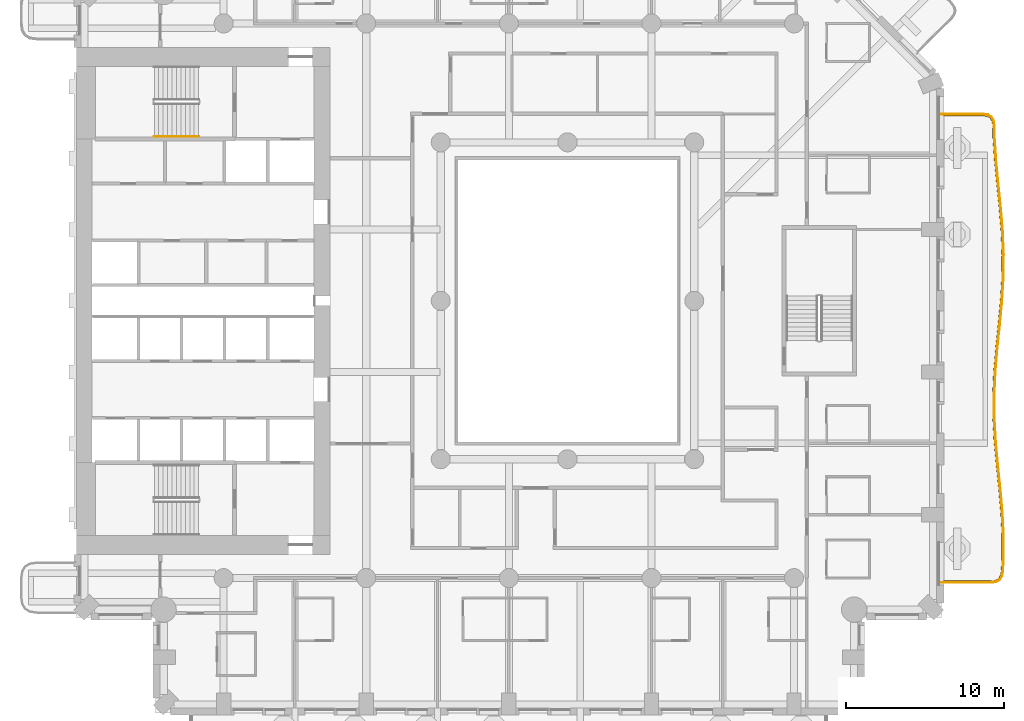
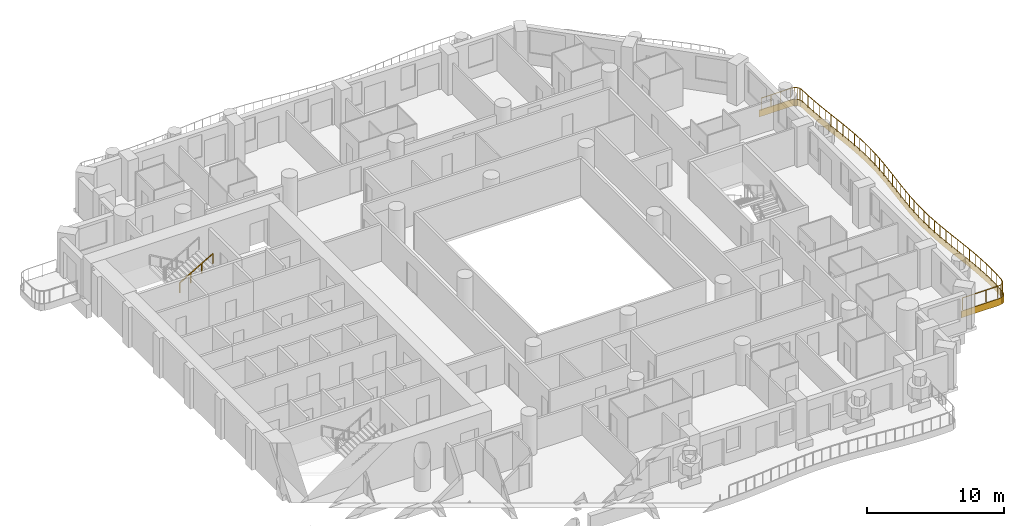
# One storey, part 16 of 20: 2 railings, 1 covering.
"""IFC4 building model written with IfcOpenShell, lengths in metres."""

from ifc_helpers import new_model, si_unit, direction, frame, origin, origin_2d, place, context, subcontext, project, spatial, polyline, rectangle, outline, extrude, material, layer, layer_set, type_object, element, save


model = new_model("IFC4")

# Units and contexts
model_context = context("Model", 3, precision=1e-05, world=origin(), true_north=direction((0.0, 1.0)))
body_context = subcontext(model_context, "Body", "Model", "MODEL_VIEW")
ifc_project = project(units=[si_unit("LENGTHUNIT", "METRE"), si_unit("AREAUNIT", "SQUARE_METRE"), si_unit("VOLUMEUNIT", "CUBIC_METRE"), si_unit("PLANEANGLEUNIT", "RADIAN"), si_unit("MASSUNIT", "GRAM", prefix="KILO")], contexts=[model_context])

# Site, building, storey
site_placement = place(None, origin())
site = spatial("IfcSite", under=ifc_project, at=site_placement, CompositionType="ELEMENT")
building_placement = place(site_placement, origin())
building = spatial("IfcBuilding", under=site, at=building_placement, Name="Cypress Arch Tower", CompositionType="ELEMENT")
storey_placement = place(building_placement, frame((0.0, 0.0, 95.10009765625)))
storey = spatial("IfcBuildingStorey", under=building, at=storey_placement, Name="L18", CompositionType="ELEMENT", Elevation=95.10009765625)

# Covering
ifc_material_1 = material(Name="White powder-coated aluminium fascia", Category="aluminium")
ifc_layer = layer(ifc_material_1, 0.050048828125)
ifc_layer_set = layer_set([ifc_layer], Name="Balcony fascia BF50")
covering_type = type_object("IfcCoveringType", Name="Balcony fascia BF50", PredefinedType="CLADDING", material=ifc_layer_set)
covering_placement = place(storey_placement, frame((0.0, 0.0, -0.60009765625)))
element("IfcCovering", 1, at=covering_placement, inside=storey, type_object=covering_type, Name="Balcony fascia L18-A06", PredefinedType="CLADDING", context=body_context, shape_type="SweptSolid", body=[
    extrude(outline(polyline([(27.24072265625, 11.800048828125), (27.54541015625, 11.756591796875), (27.774169921875, 11.620849609375), (27.9140625, 11.39453125), (27.962646484375, 11.090576171875), (27.97705078125, 10.277099609375), (28.073486328125, 8.803955078125), (28.2158203125, 7.329833984375), (28.366943359375, 5.8544921875), (28.488037109375, 4.3779296875), (28.547119140625, 2.900634765625), (28.529052734375, 1.423095703125), (28.438720703125, -0.053955078125), (28.29931640625, -1.530029296875), (28.147216796875, -3.004638671875), (28.021728515625, -4.478271484375), (27.95556640625, -5.950927734375), (27.965576171875, -7.42333984375), (28.049072265625, -8.896240234375), (28.184814453125, -10.3701171875), (28.33740234375, -11.84521484375), (28.467529296875, -13.321533203125), (28.541015625, -14.798828125), (28.5390625, -16.2763671875), (28.49658203125, -17.09228515625), (28.437255859375, -17.395751953125), (28.2900390625, -17.621337890625), (28.05712890625, -17.756591796875), (27.7509765625, -17.800048828125), (24.60107421875, -17.800048828125), (24.60107421875, -17.75), (27.74755859375, -17.75), (28.04052734375, -17.70849609375), (28.254638671875, -17.583984375), (28.39013671875, -17.376708984375), (28.44677734375, -17.086181640625), (28.489013671875, -16.27490234375), (28.4912109375, -14.800048828125), (28.417724609375, -13.324951171875), (28.28759765625, -11.85009765625), (28.135009765625, -10.375), (27.999267578125, -8.89990234375), (27.91552734375, -7.425048828125), (27.905517578125, -5.949951171875), (27.971923828125, -4.47509765625), (28.097412109375, -3.0), (28.24951171875, -1.52490234375), (28.388916015625, -0.050048828125), (28.47900390625, 1.425048828125), (28.4970703125, 2.89990234375), (28.43798828125, 4.375), (28.317138671875, 5.85009765625), (28.166015625, 7.324951171875), (28.023681640625, 8.800048828125), (27.927001953125, 10.27490234375), (27.912841796875, 11.086181640625), (27.8662109375, 11.376708984375), (27.738037109375, 11.583984375), (27.528564453125, 11.70849609375), (27.2373046875, 11.75), (24.60107421875, 11.75), (24.60107421875, 11.800048828125), (27.24072265625, 11.800048828125)])), origin(), (0.0, 0.0, 1.0), 0.60009765625),
])

# Railings
ifc_material_2 = material(Name="Powder-coated steel posts and rods, 100 mm clear between rods", Category="steel")
railing_type_1 = type_object("IfcRailingType", Name="Balcony guard GR1100", PredefinedType="GUARDRAIL", material=ifc_material_2)
railing_1_placement = place(storey_placement, frame((24.75, 11.699951171875, 0.0)))
element("IfcRailing", 2, at=railing_1_placement, inside=storey, type_object=railing_type_1, Name="Balcony guard L18-A06", PredefinedType="GUARDRAIL", context=body_context, shape_type="SweptSolid", body=[
    extrude(rectangle(XDim=0.050048828125, YDim=0.050048828125, at=origin_2d()), frame((0.0, 0.0, 1.0751953125), z_axis=(1.0, 0.0, 0.0), x_axis=(0.0, 1.0, 0.0)), (0.0, 0.0, 1.0), 2.483642578125),
    extrude(rectangle(XDim=0.050048828125, YDim=0.050048828125, at=origin_2d()), frame((2.483642578125, 0.0, 1.0751953125), z_axis=(0.9900189709, -0.140934159302, 0.0), x_axis=(0.140934159302, 0.9900189709, 0.0)), (0.0, 0.0, 1.0), 0.280517578125),
    extrude(rectangle(XDim=0.050048828125, YDim=0.050048828125, at=origin_2d()), frame((2.761474609375, -0.03955078125, 1.0751953125), z_axis=(0.859915233553, -0.510436862994, 0.0), x_axis=(0.510436862994, 0.859915233553, 0.0)), (0.0, 0.0, 1.0), 0.221435546875),
    extrude(rectangle(XDim=0.050048828125, YDim=0.050048828125, at=origin_2d()), frame((2.951904296875, -0.152587890625, 1.0751953125), z_axis=(0.525633637018, -0.85071104356, 0.0), x_axis=(0.85071104356, 0.525633637018, 0.0)), (0.0, 0.0, 1.0), 0.221435546875),
    extrude(rectangle(XDim=0.050048828125, YDim=0.050048828125, at=origin_2d()), frame((3.068359375, -0.341064453125, 1.0751953125), z_axis=(0.158329783459, -0.987386286957, 0.0), x_axis=(0.987386286957, 0.158329783459, 0.0)), (0.0, 0.0, 1.0), 0.280517578125),
    extrude(rectangle(XDim=0.050048828125, YDim=0.050048828125, at=origin_2d()), frame((3.11279296875, -0.6181640625, 1.0751953125), z_axis=(0.017504109236, -0.999846791343, 0.0), x_axis=(0.999846791343, 0.017504109236, 0.0)), (0.0, 0.0, 1.0), 0.80908203125),
    extrude(rectangle(XDim=0.050048828125, YDim=0.050048828125, at=origin_2d()), frame((3.126953125, -1.427001953125, 1.0751953125), z_axis=(0.065479011053, -0.997853946784, 0.0), x_axis=(0.997853946784, 0.065479011053, 0.0)), (0.0, 0.0, 1.0), 1.480224609375),
    extrude(rectangle(XDim=0.050048828125, YDim=0.050048828125, at=origin_2d()), frame((3.223876953125, -2.904052734375, 1.0751953125), z_axis=(0.095997921353, -0.995381534436, 0.0), x_axis=(0.995381534436, 0.095997921353, 0.0)), (0.0, 0.0, 1.0), 1.482666015625),
    extrude(rectangle(XDim=0.050048828125, YDim=0.050048828125, at=origin_2d()), frame((3.3662109375, -4.3798828125, 1.0751953125), z_axis=(0.101949461859, -0.994789579372, 0.0), x_axis=(0.994789579372, 0.101949461859, 0.0)), (0.0, 0.0, 1.0), 1.482421875),
    extrude(rectangle(XDim=0.050048828125, YDim=0.050048828125, at=origin_2d()), frame((3.517333984375, -5.8544921875, 1.0751953125), z_axis=(0.081747024034, -0.996653111198, 0.0), x_axis=(0.996653111198, 0.081747024034, 0.0)), (0.0, 0.0, 1.0), 1.478271484375),
    extrude(rectangle(XDim=0.050048828125, YDim=0.050048828125, at=origin_2d()), frame((3.63818359375, -7.327880859375, 1.0751953125), z_axis=(0.039921730305, -0.999202809969, 0.0), x_axis=(0.999202809969, 0.039921730305, 0.0)), (0.0, 0.0, 1.0), 1.473876953125),
    extrude(rectangle(XDim=0.050048828125, YDim=0.050048828125, at=origin_2d()), frame((3.697021484375, -8.800537109375, 1.0751953125), z_axis=(-0.012101235867, -0.999926777364, 0.0), x_axis=(0.999926777364, -0.012101235867, 0.0)), (0.0, 0.0, 1.0), 1.47265625),
    extrude(rectangle(XDim=0.050048828125, YDim=0.050048828125, at=origin_2d()), frame((3.67919921875, -10.273193359375, 1.0751953125), z_axis=(-0.061214340824, -0.998124643758, 0.0), x_axis=(0.998124643758, -0.061214340824, 0.0)), (0.0, 0.0, 1.0), 1.4755859375),
    extrude(rectangle(XDim=0.050048828125, YDim=0.050048828125, at=origin_2d()), frame((3.5888671875, -11.74609375, 1.0751953125), z_axis=(-0.093999696666, -0.995572225922, 0.0), x_axis=(0.995572225922, -0.093999696666, 0.0)), (0.0, 0.0, 1.0), 1.48046875),
    extrude(rectangle(XDim=0.050048828125, YDim=0.050048828125, at=origin_2d()), frame((3.44970703125, -13.219970703125, 1.0751953125), z_axis=(-0.102550949884, -0.994727753045, 0.0), x_axis=(0.994727753045, -0.102550949884, 0.0)), (0.0, 0.0, 1.0), 1.483154296875),
    extrude(rectangle(XDim=0.050048828125, YDim=0.050048828125, at=origin_2d()), frame((3.297607421875, -14.6953125, 1.0751953125), z_axis=(-0.084859001052, -0.996392969636, 0.0), x_axis=(0.996392969636, -0.084859001052, 0.0)), (0.0, 0.0, 1.0), 1.481689453125),
    extrude(rectangle(XDim=0.050048828125, YDim=0.050048828125, at=origin_2d()), frame((3.171875, -16.171630859375, 1.0751953125), z_axis=(-0.044905901861, -0.998991221172, 0.0), x_axis=(0.998991221172, -0.044905901861, 0.0)), (0.0, 0.0, 1.0), 1.478759765625),
    extrude(rectangle(XDim=0.050048828125, YDim=0.050048828125, at=origin_2d()), frame((3.10546875, -17.64892578125, 1.0751953125), z_axis=(0.006774464503, -0.999977053052, 0.0), x_axis=(0.999977053052, 0.006774464503, 0.0)), (0.0, 0.0, 1.0), 1.4775390625),
    extrude(rectangle(XDim=0.050048828125, YDim=0.050048828125, at=origin_2d()), frame((3.115478515625, -19.12646484375, 1.0751953125), z_axis=(0.056758461588, -0.998387939149, 0.0), x_axis=(0.998387939149, 0.056758461588, 0.0)), (0.0, 0.0, 1.0), 1.479736328125),
    extrude(rectangle(XDim=0.050048828125, YDim=0.050048828125, at=origin_2d()), frame((3.199462890625, -20.603759765625, 1.0751953125), z_axis=(0.091575219648, -0.995798161851, 0.0), x_axis=(0.995798161851, 0.091575219648, 0.0)), (0.0, 0.0, 1.0), 1.482421875),
    extrude(rectangle(XDim=0.050048828125, YDim=0.050048828125, at=origin_2d()), frame((3.335205078125, -22.079833984375, 1.0751953125), z_axis=(0.103073295143, -0.994673763517, 0.0), x_axis=(0.994673763517, 0.103073295143, 0.0)), (0.0, 0.0, 1.0), 1.482666015625),
    extrude(rectangle(XDim=0.050048828125, YDim=0.050048828125, at=origin_2d()), frame((3.488037109375, -23.5546875, 1.0751953125), z_axis=(0.087633717414, -0.996152765178, 0.0), x_axis=(0.996152765178, 0.087633717414, 0.0)), (0.0, 0.0, 1.0), 1.479248046875),
    extrude(rectangle(XDim=0.050048828125, YDim=0.050048828125, at=origin_2d()), frame((3.61767578125, -25.0283203125, 1.0751953125), z_axis=(0.049830278089, -0.998757700038, 0.0), x_axis=(0.998757700038, 0.049830278089, 0.0)), (0.0, 0.0, 1.0), 1.474853515625),
    extrude(rectangle(XDim=0.050048828125, YDim=0.050048828125, at=origin_2d()), frame((3.691162109375, -26.501220703125, 1.0751953125), z_axis=(-0.001326478687, -0.999999120227, 0.0), x_axis=(0.999999120227, -0.001326478687, 0.0)), (0.0, 0.0, 1.0), 1.472412109375),
    extrude(rectangle(XDim=0.050048828125, YDim=0.050048828125, at=origin_2d()), frame((3.689208984375, -27.9736328125, 1.0751953125), z_axis=(-0.052304932095, -0.998631160178, 0.0), x_axis=(0.998631160178, -0.052304932095, 0.0)), (0.0, 0.0, 1.0), 0.8076171875),
    extrude(rectangle(XDim=0.050048828125, YDim=0.050048828125, at=origin_2d()), frame((3.64697265625, -28.780029296875, 1.0751953125), z_axis=(-0.191794535453, -0.981435100335, 0.0), x_axis=(0.981435100335, -0.191794535453, 0.0)), (0.0, 0.0, 1.0), 0.282470703125),
    extrude(rectangle(XDim=0.050048828125, YDim=0.050048828125, at=origin_2d()), frame((3.5927734375, -29.057373046875, 1.0751953125), z_axis=(-0.546201923792, -0.837653543206, 0.0), x_axis=(0.837653543206, -0.546201923792, 0.0)), (0.0, 0.0, 1.0), 0.22607421875),
    extrude(rectangle(XDim=0.050048828125, YDim=0.050048828125, at=origin_2d()), frame((3.46923828125, -29.246826171875, 1.0751953125), z_axis=(-0.864834315404, -0.502057374111, 0.0), x_axis=(0.502057374111, -0.864834315404, 0.0)), (0.0, 0.0, 1.0), 0.22607421875),
    extrude(rectangle(XDim=0.050048828125, YDim=0.050048828125, at=origin_2d()), frame((3.273681640625, -29.3603515625, 1.0751953125), z_axis=(-0.990155791954, -0.139969666925, 0.0), x_axis=(0.139969666925, -0.990155791954, 0.0)), (0.0, 0.0, 1.0), 0.282470703125),
    extrude(rectangle(XDim=0.050048828125, YDim=0.050048828125, at=origin_2d()), frame((2.993896484375, -29.39990234375, 1.0751953125), z_axis=(-1.0, 0.0, 0.0), x_axis=(0.0, -1.0, 0.0)), (0.0, 0.0, 1.0), 2.993896484375),
    extrude(rectangle(XDim=0.0400390625, YDim=0.0400390625, at=origin_2d()), origin(), (0.0, 0.0, 1.0), 1.050048828125),
    extrude(rectangle(XDim=0.0400390625, YDim=0.0400390625, at=origin_2d()), frame((0.827880859375, 0.0, 0.0)), (0.0, 0.0, 1.0), 1.050048828125),
    extrude(rectangle(XDim=0.0400390625, YDim=0.0400390625, at=origin_2d()), frame((1.65576171875, 0.0, 0.0)), (0.0, 0.0, 1.0), 1.050048828125),
    extrude(rectangle(XDim=0.0400390625, YDim=0.0400390625, at=origin_2d()), frame((2.483642578125, 0.0, 0.0)), (0.0, 0.0, 1.0), 1.050048828125),
    extrude(rectangle(XDim=0.0400390625, YDim=0.0400390625, at=origin_2d()), frame((2.761474609375, -0.03955078125, 0.0)), (0.0, 0.0, 1.0), 1.050048828125),
    extrude(rectangle(XDim=0.0400390625, YDim=0.0400390625, at=origin_2d()), frame((2.951904296875, -0.152587890625, 0.0)), (0.0, 0.0, 1.0), 1.050048828125),
    extrude(rectangle(XDim=0.0400390625, YDim=0.0400390625, at=origin_2d()), frame((3.068359375, -0.341064453125, 0.0)), (0.0, 0.0, 1.0), 1.050048828125),
    extrude(rectangle(XDim=0.0400390625, YDim=0.0400390625, at=origin_2d()), frame((3.11279296875, -0.6181640625, 0.0)), (0.0, 0.0, 1.0), 1.050048828125),
    extrude(rectangle(XDim=0.0400390625, YDim=0.0400390625, at=origin_2d()), frame((3.126953125, -1.427001953125, 0.0)), (0.0, 0.0, 1.0), 1.050048828125),
    extrude(rectangle(XDim=0.0400390625, YDim=0.0400390625, at=origin_2d()), frame((3.17529296875, -2.16552734375, 0.0)), (0.0, 0.0, 1.0), 1.050048828125),
    extrude(rectangle(XDim=0.0400390625, YDim=0.0400390625, at=origin_2d()), frame((3.223876953125, -2.904052734375, 0.0)), (0.0, 0.0, 1.0), 1.050048828125),
    extrude(rectangle(XDim=0.0400390625, YDim=0.0400390625, at=origin_2d()), frame((3.294921875, -3.64208984375, 0.0)), (0.0, 0.0, 1.0), 1.050048828125),
    extrude(rectangle(XDim=0.0400390625, YDim=0.0400390625, at=origin_2d()), frame((3.3662109375, -4.3798828125, 0.0)), (0.0, 0.0, 1.0), 1.050048828125),
    extrude(rectangle(XDim=0.0400390625, YDim=0.0400390625, at=origin_2d()), frame((3.44189453125, -5.1171875, 0.0)), (0.0, 0.0, 1.0), 1.050048828125),
    extrude(rectangle(XDim=0.0400390625, YDim=0.0400390625, at=origin_2d()), frame((3.517333984375, -5.8544921875, 0.0)), (0.0, 0.0, 1.0), 1.050048828125),
    extrude(rectangle(XDim=0.0400390625, YDim=0.0400390625, at=origin_2d()), frame((3.57763671875, -6.59130859375, 0.0)), (0.0, 0.0, 1.0), 1.050048828125),
    extrude(rectangle(XDim=0.0400390625, YDim=0.0400390625, at=origin_2d()), frame((3.63818359375, -7.327880859375, 0.0)), (0.0, 0.0, 1.0), 1.050048828125),
    extrude(rectangle(XDim=0.0400390625, YDim=0.0400390625, at=origin_2d()), frame((3.66748046875, -8.064208984375, 0.0)), (0.0, 0.0, 1.0), 1.050048828125),
    extrude(rectangle(XDim=0.0400390625, YDim=0.0400390625, at=origin_2d()), frame((3.697021484375, -8.800537109375, 0.0)), (0.0, 0.0, 1.0), 1.050048828125),
    extrude(rectangle(XDim=0.0400390625, YDim=0.0400390625, at=origin_2d()), frame((3.68798828125, -9.536865234375, 0.0)), (0.0, 0.0, 1.0), 1.050048828125),
    extrude(rectangle(XDim=0.0400390625, YDim=0.0400390625, at=origin_2d()), frame((3.67919921875, -10.273193359375, 0.0)), (0.0, 0.0, 1.0), 1.050048828125),
    extrude(rectangle(XDim=0.0400390625, YDim=0.0400390625, at=origin_2d()), frame((3.634033203125, -11.009765625, 0.0)), (0.0, 0.0, 1.0), 1.050048828125),
    extrude(rectangle(XDim=0.0400390625, YDim=0.0400390625, at=origin_2d()), frame((3.5888671875, -11.74609375, 0.0)), (0.0, 0.0, 1.0), 1.050048828125),
    extrude(rectangle(XDim=0.0400390625, YDim=0.0400390625, at=origin_2d()), frame((3.519287109375, -12.48291015625, 0.0)), (0.0, 0.0, 1.0), 1.050048828125),
    extrude(rectangle(XDim=0.0400390625, YDim=0.0400390625, at=origin_2d()), frame((3.44970703125, -13.219970703125, 0.0)), (0.0, 0.0, 1.0), 1.050048828125),
    extrude(rectangle(XDim=0.0400390625, YDim=0.0400390625, at=origin_2d()), frame((3.37353515625, -13.95751953125, 0.0)), (0.0, 0.0, 1.0), 1.050048828125),
    extrude(rectangle(XDim=0.0400390625, YDim=0.0400390625, at=origin_2d()), frame((3.297607421875, -14.6953125, 0.0)), (0.0, 0.0, 1.0), 1.050048828125),
    extrude(rectangle(XDim=0.0400390625, YDim=0.0400390625, at=origin_2d()), frame((3.23486328125, -15.43359375, 0.0)), (0.0, 0.0, 1.0), 1.050048828125),
    extrude(rectangle(XDim=0.0400390625, YDim=0.0400390625, at=origin_2d()), frame((3.171875, -16.171630859375, 0.0)), (0.0, 0.0, 1.0), 1.050048828125),
    extrude(rectangle(XDim=0.0400390625, YDim=0.0400390625, at=origin_2d()), frame((3.138671875, -16.91015625, 0.0)), (0.0, 0.0, 1.0), 1.050048828125),
    extrude(rectangle(XDim=0.0400390625, YDim=0.0400390625, at=origin_2d()), frame((3.10546875, -17.64892578125, 0.0)), (0.0, 0.0, 1.0), 1.050048828125),
    extrude(rectangle(XDim=0.0400390625, YDim=0.0400390625, at=origin_2d()), frame((3.1103515625, -18.3876953125, 0.0)), (0.0, 0.0, 1.0), 1.050048828125),
    extrude(rectangle(XDim=0.0400390625, YDim=0.0400390625, at=origin_2d()), frame((3.115478515625, -19.12646484375, 0.0)), (0.0, 0.0, 1.0), 1.050048828125),
    extrude(rectangle(XDim=0.0400390625, YDim=0.0400390625, at=origin_2d()), frame((3.157470703125, -19.865234375, 0.0)), (0.0, 0.0, 1.0), 1.050048828125),
    extrude(rectangle(XDim=0.0400390625, YDim=0.0400390625, at=origin_2d()), frame((3.199462890625, -20.603759765625, 0.0)), (0.0, 0.0, 1.0), 1.050048828125),
    extrude(rectangle(XDim=0.0400390625, YDim=0.0400390625, at=origin_2d()), frame((3.267333984375, -21.341796875, 0.0)), (0.0, 0.0, 1.0), 1.050048828125),
    extrude(rectangle(XDim=0.0400390625, YDim=0.0400390625, at=origin_2d()), frame((3.335205078125, -22.079833984375, 0.0)), (0.0, 0.0, 1.0), 1.050048828125),
    extrude(rectangle(XDim=0.0400390625, YDim=0.0400390625, at=origin_2d()), frame((3.41162109375, -22.8173828125, 0.0)), (0.0, 0.0, 1.0), 1.050048828125),
    extrude(rectangle(XDim=0.0400390625, YDim=0.0400390625, at=origin_2d()), frame((3.488037109375, -23.5546875, 0.0)), (0.0, 0.0, 1.0), 1.050048828125),
    extrude(rectangle(XDim=0.0400390625, YDim=0.0400390625, at=origin_2d()), frame((3.552734375, -24.29150390625, 0.0)), (0.0, 0.0, 1.0), 1.050048828125),
    extrude(rectangle(XDim=0.0400390625, YDim=0.0400390625, at=origin_2d()), frame((3.61767578125, -25.0283203125, 0.0)), (0.0, 0.0, 1.0), 1.050048828125),
    extrude(rectangle(XDim=0.0400390625, YDim=0.0400390625, at=origin_2d()), frame((3.654296875, -25.7646484375, 0.0)), (0.0, 0.0, 1.0), 1.050048828125),
    extrude(rectangle(XDim=0.0400390625, YDim=0.0400390625, at=origin_2d()), frame((3.691162109375, -26.501220703125, 0.0)), (0.0, 0.0, 1.0), 1.050048828125),
    extrude(rectangle(XDim=0.0400390625, YDim=0.0400390625, at=origin_2d()), frame((3.690185546875, -27.2373046875, 0.0)), (0.0, 0.0, 1.0), 1.050048828125),
    extrude(rectangle(XDim=0.0400390625, YDim=0.0400390625, at=origin_2d()), frame((3.689208984375, -27.9736328125, 0.0)), (0.0, 0.0, 1.0), 1.050048828125),
    extrude(rectangle(XDim=0.0400390625, YDim=0.0400390625, at=origin_2d()), frame((3.64697265625, -28.780029296875, 0.0)), (0.0, 0.0, 1.0), 1.050048828125),
    extrude(rectangle(XDim=0.0400390625, YDim=0.0400390625, at=origin_2d()), frame((3.5927734375, -29.057373046875, 0.0)), (0.0, 0.0, 1.0), 1.050048828125),
    extrude(rectangle(XDim=0.0400390625, YDim=0.0400390625, at=origin_2d()), frame((3.46923828125, -29.246826171875, 0.0)), (0.0, 0.0, 1.0), 1.050048828125),
    extrude(rectangle(XDim=0.0400390625, YDim=0.0400390625, at=origin_2d()), frame((3.273681640625, -29.3603515625, 0.0)), (0.0, 0.0, 1.0), 1.050048828125),
    extrude(rectangle(XDim=0.0400390625, YDim=0.0400390625, at=origin_2d()), frame((2.993896484375, -29.39990234375, 0.0)), (0.0, 0.0, 1.0), 1.050048828125),
    extrude(rectangle(XDim=0.0400390625, YDim=0.0400390625, at=origin_2d()), frame((1.995849609375, -29.39990234375, 0.0)), (0.0, 0.0, 1.0), 1.050048828125),
    extrude(rectangle(XDim=0.0400390625, YDim=0.0400390625, at=origin_2d()), frame((0.998046875, -29.39990234375, 0.0)), (0.0, 0.0, 1.0), 1.050048828125),
    extrude(rectangle(XDim=0.0400390625, YDim=0.0400390625, at=origin_2d()), frame((0.0, -29.39990234375, 0.0)), (0.0, 0.0, 1.0), 1.050048828125),
])
ifc_material_3 = material(Name="Black powder-coated steel square bar 48 mm", Category="steel")
railing_type_2 = type_object("IfcRailingType", Name="Stair handrail HR1", PredefinedType="HANDRAIL", material=ifc_material_3)
railing_2_placement = place(storey_placement, frame((-25.074951171875, 10.375, 1.963623046875)))
element("IfcRailing", 3, at=railing_2_placement, inside=storey, type_object=railing_type_2, Name="L18 B stair handrail 2", PredefinedType="HANDRAIL", context=body_context, shape_type="SweptSolid", body=[
    extrude(rectangle(XDim=0.048095703125, YDim=0.048095703125, at=origin_2d()), frame((0.0, 0.0, 0.8759765625), z_axis=(0.863393664356, 0.0, 0.504530851732), x_axis=(0.0, 1.0, 0.0)), (0.0, 0.0, 1.0), 3.2431640625),
    extrude(rectangle(XDim=0.0419921875, YDim=0.0419921875, at=origin_2d()), origin(), (0.0, 0.0, 1.0), 0.851806640625),
    extrude(rectangle(XDim=0.0419921875, YDim=0.0419921875, at=origin_2d()), frame((0.933349609375, 0.0, 0.54541015625)), (0.0, 0.0, 1.0), 0.851806640625),
    extrude(rectangle(XDim=0.0419921875, YDim=0.0419921875, at=origin_2d()), frame((1.86669921875, 0.0, 1.0908203125)), (0.0, 0.0, 1.0), 0.851806640625),
    extrude(rectangle(XDim=0.0419921875, YDim=0.0419921875, at=origin_2d()), frame((2.800048828125, 0.0, 1.63623046875)), (0.0, 0.0, 1.0), 0.851806640625),
])

save(model, "model.ifc")
